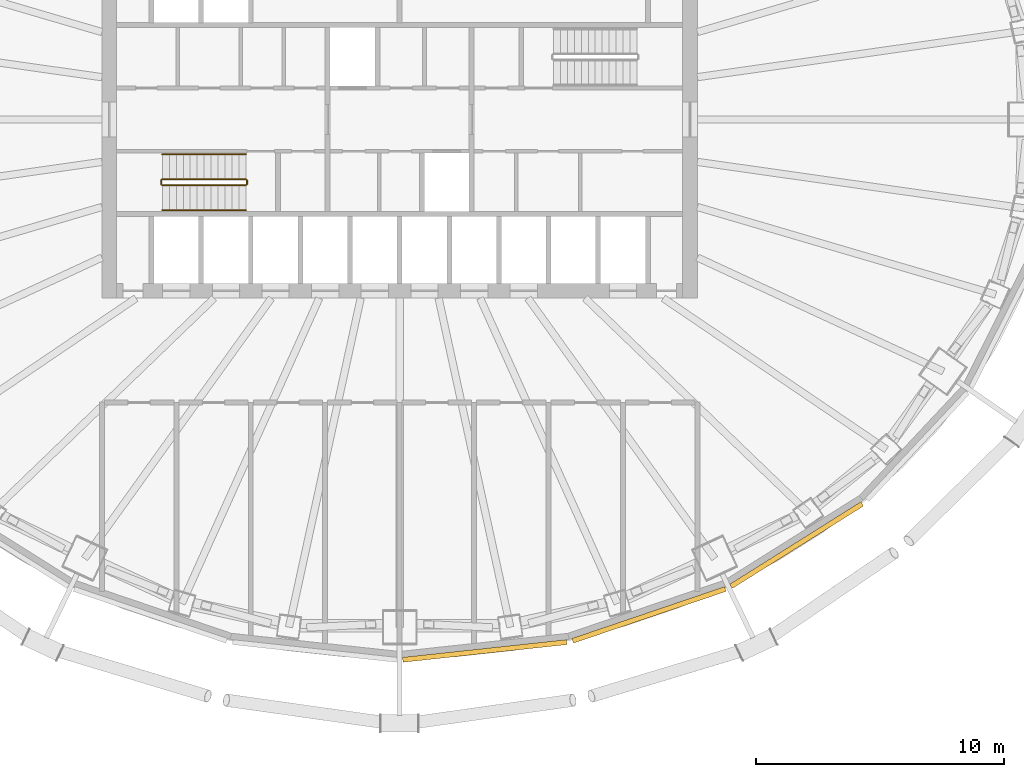
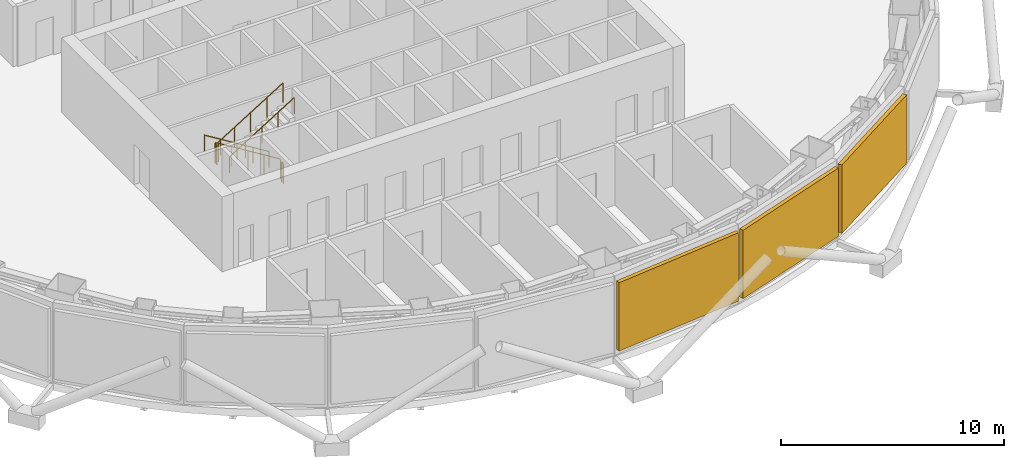
# One storey, part 16 of 18: 6 railings, 3 shading devices.
"""IFC4 building model written with IfcOpenShell, lengths in metres."""

import ifcopenshell
import ifcopenshell.guid

model = None  # the IFC model being written
_history = None  # IfcOwnerHistory: only IFC2X3 demands one
_inside = {}  # id of a spatial element -> (the spatial element, [elements in it])
_under = {}  # id of a project, library or spatial element -> (it, [spatial elements below it])
_declared = {}  # id of a project -> (the project, [libraries it declares])
_typed = {}  # id of a type object -> (the type object, [elements of that type])
_made_of = {}  # id of a material, layer set ... -> (it, [elements and type objects made of it])


def new_model(schema):
    """Start an empty IFC model of exactly this schema.

    Asked for "IFC4X3", IfcOpenShell would pick the latest addendum, in which some entities
    have other attributes; the version numbers below select the first issue.
    IFC2X3 requires an IfcOwnerHistory on every rooted entity: one is made here for all.
    """
    global model, _history
    if schema == "IFC4X3":
        model = ifcopenshell.file(schema_version=(4, 3, 0, 0))
    else:
        model = ifcopenshell.file(schema=schema)
    _inside.clear()
    _under.clear()
    _declared.clear()
    _typed.clear()
    _made_of.clear()
    _history = None
    if model.schema == "IFC2X3":
        org = make("IfcOrganization", Name="unknown")
        user = make(
            "IfcPersonAndOrganization",
            ThePerson=make("IfcPerson", FamilyName="unknown"),
            TheOrganization=org,
        )
        app = make(
            "IfcApplication",
            ApplicationDeveloper=org,
            Version="unknown",
            ApplicationFullName="unknown",
            ApplicationIdentifier="unknown",
        )
        _history = make(
            "IfcOwnerHistory",
            OwningUser=user,
            OwningApplication=app,
            ChangeAction="ADDED",
            CreationDate=0,
        )
    return model


def make(cls, **values):
    """One entity of the class cls with the attributes given. An attribute that is None is left unset."""
    return model.create_entity(
        cls, **{name: value for name, value in values.items() if value is not None}
    )


def rooted(cls, **values):
    """An entity with a GlobalId (a new one), such as an element, a storey or a relation."""
    return make(cls, GlobalId=ifcopenshell.guid.new(), OwnerHistory=_history, **values)


def si_unit(unit_type, name, prefix=None):
    """IfcSIUnit, for example si_unit("LENGTHUNIT", "METRE", prefix="MILLI")."""
    return make("IfcSIUnit", UnitType=unit_type, Prefix=prefix, Name=name)


def assignment(units):
    """IfcUnitAssignment: the units of a project."""
    return None if units is None else make("IfcUnitAssignment", Units=units)


def point(xyz):
    """IfcCartesianPoint."""
    return None if xyz is None else make("IfcCartesianPoint", Coordinates=xyz)


def direction(xyz):
    """IfcDirection."""
    return None if xyz is None else make("IfcDirection", DirectionRatios=xyz)


def frame(location, z_axis=None, x_axis=None):
    """IfcAxis2Placement3D, a coordinate frame: its origin and axes. An axis left out is left unset."""
    return make(
        "IfcAxis2Placement3D",
        Location=point(location),
        Axis=direction(z_axis),
        RefDirection=direction(x_axis),
    )


def frame_2d(location, x_axis=None):
    """IfcAxis2Placement2D, a coordinate frame in the plane: its origin and x axis."""
    return make(
        "IfcAxis2Placement2D", Location=point(location), RefDirection=direction(x_axis)
    )


def origin():
    """The frame at (0, 0, 0) with its axes left unset."""
    return frame((0.0, 0.0, 0.0))


def origin_2d():
    """The frame at (0, 0) in the plane with its x axis left unset."""
    return frame_2d((0.0, 0.0))


def place(relative_to, where):
    """IfcLocalPlacement: puts the frame where relative to a parent placement (None: the world)."""
    return make(
        "IfcLocalPlacement", PlacementRelTo=relative_to, RelativePlacement=where
    )


def context(
    kind, dimensions, precision=None, world=None, true_north=None, identifier=None
):
    """IfcGeometricRepresentationContext, for example the 3D "Model" context."""
    return make(
        "IfcGeometricRepresentationContext",
        ContextIdentifier=identifier,
        ContextType=kind,
        CoordinateSpaceDimension=dimensions,
        Precision=precision,
        WorldCoordinateSystem=world,
        TrueNorth=true_north,
    )


def subcontext(parent, identifier, kind, view, scale=None):
    """IfcGeometricRepresentationSubContext, for example "Body" below "Model"."""
    return make(
        "IfcGeometricRepresentationSubContext",
        ContextIdentifier=identifier,
        ContextType=kind,
        ParentContext=parent,
        TargetScale=scale,
        TargetView=view,
    )


def project(units=None, contexts=None):
    """IfcProject with its units and contexts."""
    return rooted(
        "IfcProject",
        Name="project",
        RepresentationContexts=contexts,
        UnitsInContext=assignment(units),
    )


def spatial(cls, under=None, at=None, **own):
    """A site, building, storey or space (cls), placed at a placement, below another one or the project."""
    s = rooted(cls, ObjectPlacement=at, **own)
    if under is not None:
        _under.setdefault(under.id(), (under, []))[1].append(s)
    return s


def profile(cls, at=None, kind="AREA", **sizes):
    """A parametric profile (cls). Its sizes go by their IFC names, for example OverallWidth=200.0."""
    return make(cls, ProfileType=kind, Position=at, **sizes)


def rectangle(**sizes):
    """IfcRectangleProfileDef."""
    return profile("IfcRectangleProfileDef", **sizes)


def circle(**sizes):
    """IfcCircleProfileDef."""
    return profile("IfcCircleProfileDef", **sizes)


def extrude(swept, where, along, depth):
    """IfcExtrudedAreaSolid: the profile swept, set in the frame where, extruded along a direction by depth."""
    return make(
        "IfcExtrudedAreaSolid",
        SweptArea=swept,
        Position=where,
        ExtrudedDirection=direction(along),
        Depth=depth,
    )


def shape(context_of_items, identifier, shape_type, items):
    """IfcShapeRepresentation: the items that make up one representation, for example the "Body"."""
    return make(
        "IfcShapeRepresentation",
        ContextOfItems=context_of_items,
        RepresentationIdentifier=identifier,
        RepresentationType=shape_type,
        Items=items,
    )


def material(Name=None, Category=None):
    """IfcMaterial."""
    return make("IfcMaterial", Name=Name, Category=Category)


def layer(
    of_material, thickness, ventilated=None, Name=None, Category=None, Priority=None
):
    """IfcMaterialLayer: one layer of a wall or slab, of a material (None: an air gap)."""
    return make(
        "IfcMaterialLayer",
        Material=of_material,
        LayerThickness=thickness,
        IsVentilated=ventilated,
        Name=Name,
        Category=Category,
        Priority=Priority,
    )


def layer_set(layers, Name=None):
    """IfcMaterialLayerSet."""
    return make("IfcMaterialLayerSet", MaterialLayers=layers, LayerSetName=Name)


def made_of(thing, what):
    """Note that an element or type object is made of a material, layer set ...; save() writes the relation."""
    if what is not None:
        _made_of.setdefault(what.id(), (what, []))[1].append(thing)
    return thing


def type_object(cls, material=None, **own):
    """A type object (cls), such as IfcWallType, which elements share."""
    return made_of(rooted(cls, **own), material)


def element(
    cls,
    number,
    at=None,
    inside=None,
    cuts=None,
    type_object=None,
    material=None,
    context=None,
    identifier="Body",
    shape_type=None,
    held_by="IfcProductDefinitionShape",
    body=None,
    shapes=None,
    **own,
):
    """One element of the class cls, such as IfcWall. Its Tag is "e" and its number.

    at: its placement. inside: the storey or other place that contains it. cuts: it is an
    opening in that element (IfcRelVoidsElement). A single representation is given by context,
    identifier, shape_type and body (its items); several are given by shapes. held_by: the class
    of the entity that holds the representations. save() writes the other relations.
    """
    e = rooted(cls, Tag="e%d" % number, ObjectPlacement=at, **own)
    if body is not None:
        shapes = [shape(context, identifier, shape_type, body)]
    if shapes is not None:
        e.Representation = make(held_by, Representations=shapes)
    if inside is not None:
        _inside.setdefault(inside.id(), (inside, []))[1].append(e)
    if cuts is not None:
        rooted(
            "IfcRelVoidsElement", RelatingBuildingElement=cuts, RelatedOpeningElement=e
        )
    if type_object is not None:
        _typed.setdefault(type_object.id(), (type_object, []))[1].append(e)
    return made_of(e, material)


def aggregate(whole, parts):
    """IfcRelAggregates: a whole, such as a stair, and the parts it consists of."""
    return rooted("IfcRelAggregates", RelatingObject=whole, RelatedObjects=parts)


def save(model, path):
    """Write the relations noted so far, then the file.

    IfcRelAggregates (storeys below a building ...), IfcRelContainedInSpatialStructure (elements
    in a storey), IfcRelDefinesByType, IfcRelAssociatesMaterial and IfcRelDeclares: one each for
    every whole, place, type object, material and project.
    """
    for whole, parts in _under.values():
        aggregate(whole, parts)
    for where, things in _inside.values():
        rooted(
            "IfcRelContainedInSpatialStructure",
            RelatedElements=things,
            RelatingStructure=where,
        )
    for kind, things in _typed.values():
        rooted("IfcRelDefinesByType", RelatedObjects=things, RelatingType=kind)
    for what, things in _made_of.values():
        rooted("IfcRelAssociatesMaterial", RelatedObjects=things, RelatingMaterial=what)
    for by, libraries in _declared.values():
        rooted("IfcRelDeclares", RelatingContext=by, RelatedDefinitions=libraries)
    model.write(path)


model = new_model("IFC4")

# Units and contexts
model_context = context("Model", 3, precision=1e-05, world=origin(), true_north=direction((0.0, 1.0)))
body_context = subcontext(model_context, "Body", "Model", "MODEL_VIEW")
ifc_project = project(units=[si_unit("LENGTHUNIT", "METRE"), si_unit("AREAUNIT", "SQUARE_METRE"), si_unit("VOLUMEUNIT", "CUBIC_METRE"), si_unit("PLANEANGLEUNIT", "RADIAN"), si_unit("MASSUNIT", "GRAM", prefix="KILO")], contexts=[model_context])

# Site, building, storey
site_placement = place(None, origin())
site = spatial("IfcSite", under=ifc_project, at=site_placement, CompositionType="ELEMENT")
building_placement = place(site_placement, origin())
building = spatial("IfcBuilding", under=site, at=building_placement, Name="Siaravel Broadcast Tower", CompositionType="ELEMENT")
storey_placement = place(building_placement, frame((0.0, 0.0, 92.60009765625)))
storey = spatial("IfcBuildingStorey", under=building, at=storey_placement, Name="L21", CompositionType="ELEMENT", Elevation=92.60009765625)

# Shading devices
ifc_material_1 = material(Name="Bronze anodised aluminium", Category="aluminium")
ifc_layer = layer(ifc_material_1, 0.199951171875)
ifc_layer_set = layer_set([ifc_layer], Name="Bronze anodised aluminium")
shading_device_type = type_object("IfcShadingDeviceType", Name="Plant louvre bank", PredefinedType="USERDEFINED", material=ifc_layer_set)
shading_device_1_placement = place(storey_placement, frame((3.427490234375, -21.4140625, 0.2998046875), z_axis=(0.0, 0.0, 1.0), x_axis=(0.994235667, 0.107216783, 0.0)))
element("IfcShadingDevice", 1, at=shading_device_1_placement, inside=storey, type_object=shading_device_type, Name="L21 plant louvre bank 19", ObjectType="LOUVRE", PredefinedType="USERDEFINED", context=body_context, shape_type="SweptSolid", body=[
    extrude(rectangle(XDim=6.646484375, YDim=0.199951171875, at=origin_2d()), origin(), (0.0, 0.0, 1.0), 3.75),
])
shading_device_2_placement = place(storey_placement, frame((10.05078125, -19.960205078125, 0.2998046875), z_axis=(0.0, 0.0, 1.0), x_axis=(0.946977245, 0.321300635, 0.0)))
element("IfcShadingDevice", 2, at=shading_device_2_placement, inside=storey, type_object=shading_device_type, Name="L21 plant louvre bank 20", ObjectType="LOUVRE", PredefinedType="USERDEFINED", context=body_context, shape_type="SweptSolid", body=[
    extrude(rectangle(XDim=6.4990234375, YDim=0.199951171875, at=origin_2d()), origin(), (0.0, 0.0, 1.0), 3.75),
])
shading_device_3_placement = place(storey_placement, frame((15.994140625, -17.1494140625, 0.2998046875), z_axis=(0.0, 0.0, 1.0), x_axis=(0.846650436, 0.532149452, 0.0)))
element("IfcShadingDevice", 3, at=shading_device_3_placement, inside=storey, type_object=shading_device_type, Name="L21 plant louvre bank 21", ObjectType="LOUVRE", PredefinedType="USERDEFINED", context=body_context, shape_type="SweptSolid", body=[
    extrude(rectangle(XDim=6.235595703125, YDim=0.199951171875, at=origin_2d()), origin(), (0.0, 0.0, 1.0), 3.75),
])

# Railings
ifc_material_2 = material(Name="Stainless steel 316L", Category="steel")
railing_type_1 = type_object("IfcRailingType", Name="Stair guard 1100", PredefinedType="GUARDRAIL", material=ifc_material_2)
railing_1_placement = place(storey_placement, frame((-6.199951171875, -2.39990234375, 0.173095703125)))
element("IfcRailing", 4, at=railing_1_placement, inside=storey, type_object=railing_type_1, Name="L21 ST-1 stair guard 1", PredefinedType="GUARDRAIL", context=body_context, shape_type="SweptSolid", body=[
    extrude(circle(Radius=0.02392578125, at=origin_2d()), frame((0.0, 0.0, 1.076171875), z_axis=(-0.850623217, 0.0, 0.525775754), x_axis=(0.0, -1.0, 0.0)), (0.0, 0.0, 1.0), 3.9501953125),
    extrude(circle(Radius=0.02099609375, at=origin_2d()), origin(), (0.0, 0.0, 1.0), 1.052001953125),
    extrude(circle(Radius=0.02099609375, at=origin_2d()), frame((-0.840087890625, 0.0, 0.519287109375)), (0.0, 0.0, 1.0), 1.052001953125),
    extrude(circle(Radius=0.02099609375, at=origin_2d()), frame((-1.68017578125, 0.0, 1.03857421875)), (0.0, 0.0, 1.0), 1.052001953125),
    extrude(circle(Radius=0.02099609375, at=origin_2d()), frame((-2.52001953125, 0.0, 1.5576171875)), (0.0, 0.0, 1.0), 1.052001953125),
    extrude(circle(Radius=0.02099609375, at=origin_2d()), frame((-3.360107421875, 0.0, 2.076904296875)), (0.0, 0.0, 1.0), 1.052001953125),
])
railing_2_placement = place(storey_placement, frame((-9.610107421875, -2.449951171875, 2.25)))
element("IfcRailing", 5, at=railing_2_placement, inside=storey, type_object=railing_type_1, Name="L21 ST-1 stair guard 2", PredefinedType="GUARDRAIL", context=body_context, shape_type="SweptSolid", body=[
    extrude(circle(Radius=0.02392578125, at=origin_2d()), frame((0.0, 0.0, 1.076171875), z_axis=(0.0, -1.0, 0.0), x_axis=(1.0, 0.0, 0.0)), (0.0, 0.0, 1.0), 0.150146484375),
    extrude(circle(Radius=0.02099609375, at=origin_2d()), origin(), (0.0, 0.0, 1.0), 1.052001953125),
    extrude(circle(Radius=0.02099609375, at=origin_2d()), frame((0.0, -0.150146484375, 0.0)), (0.0, 0.0, 1.0), 1.052001953125),
])
railing_3_placement = place(storey_placement, frame((-9.56005859375, -2.64990234375, 2.423095703125)))
element("IfcRailing", 6, at=railing_3_placement, inside=storey, type_object=railing_type_1, Name="L21 ST-1 stair guard 3", PredefinedType="GUARDRAIL", context=body_context, shape_type="SweptSolid", body=[
    extrude(circle(Radius=0.02392578125, at=origin_2d()), frame((0.0, 0.0, 1.076171875), z_axis=(0.850623217, 0.0, 0.525775754), x_axis=(0.0, 1.0, 0.0)), (0.0, 0.0, 1.0), 3.9501953125),
    extrude(circle(Radius=0.02099609375, at=origin_2d()), origin(), (0.0, 0.0, 1.0), 1.052001953125),
    extrude(circle(Radius=0.02099609375, at=origin_2d()), frame((0.840087890625, 0.0, 0.519287109375)), (0.0, 0.0, 1.0), 1.052001953125),
    extrude(circle(Radius=0.02099609375, at=origin_2d()), frame((1.68017578125, 0.0, 1.03857421875)), (0.0, 0.0, 1.0), 1.052001953125),
    extrude(circle(Radius=0.02099609375, at=origin_2d()), frame((2.52001953125, 0.0, 1.5576171875)), (0.0, 0.0, 1.0), 1.052001953125),
    extrude(circle(Radius=0.02099609375, at=origin_2d()), frame((3.360107421875, 0.0, 2.076904296875)), (0.0, 0.0, 1.0), 1.052001953125),
])
railing_4_placement = place(storey_placement, frame((-6.14990234375, -2.449951171875, 0.0)))
element("IfcRailing", 7, at=railing_4_placement, inside=storey, type_object=railing_type_1, Name="L21 ST-1 stair guard 4", PredefinedType="GUARDRAIL", context=body_context, shape_type="SweptSolid", body=[
    extrude(circle(Radius=0.02392578125, at=origin_2d()), frame((0.0, 0.0, 1.076171875), z_axis=(0.0, -1.0, 0.0), x_axis=(1.0, 0.0, 0.0)), (0.0, 0.0, 1.0), 0.150146484375),
    extrude(circle(Radius=0.02099609375, at=origin_2d()), origin(), (0.0, 0.0, 1.0), 1.052001953125),
    extrude(circle(Radius=0.02099609375, at=origin_2d()), frame((0.0, -0.150146484375, 0.0)), (0.0, 0.0, 1.0), 1.052001953125),
])
railing_type_2 = type_object("IfcRailingType", Name="Stair handrail 900", PredefinedType="HANDRAIL", material=ifc_material_2)
railing_5_placement = place(storey_placement, frame((-6.199951171875, -1.39990234375, 0.173095703125)))
element("IfcRailing", 8, at=railing_5_placement, inside=storey, type_object=railing_type_2, Name="L21 ST-1 stair handrail 1", PredefinedType="HANDRAIL", context=body_context, shape_type="SweptSolid", body=[
    extrude(circle(Radius=0.02392578125, at=origin_2d()), frame((0.0, 0.0, 0.8759765625), z_axis=(-0.850623217, 0.0, 0.525775754), x_axis=(0.0, -1.0, 0.0)), (0.0, 0.0, 1.0), 3.9501953125),
    extrude(circle(Radius=0.02099609375, at=origin_2d()), origin(), (0.0, 0.0, 1.0), 0.851806640625),
    extrude(circle(Radius=0.02099609375, at=origin_2d()), frame((-0.840087890625, 0.0, 0.519287109375)), (0.0, 0.0, 1.0), 0.851806640625),
    extrude(circle(Radius=0.02099609375, at=origin_2d()), frame((-1.68017578125, 0.0, 1.03857421875)), (0.0, 0.0, 1.0), 0.851806640625),
    extrude(circle(Radius=0.02099609375, at=origin_2d()), frame((-2.52001953125, 0.0, 1.5576171875)), (0.0, 0.0, 1.0), 0.851806640625),
    extrude(circle(Radius=0.02099609375, at=origin_2d()), frame((-3.360107421875, 0.0, 2.076904296875)), (0.0, 0.0, 1.0), 0.851806640625),
])
railing_6_placement = place(storey_placement, frame((-9.56005859375, -3.64990234375, 2.423095703125)))
element("IfcRailing", 9, at=railing_6_placement, inside=storey, type_object=railing_type_2, Name="L21 ST-1 stair handrail 2", PredefinedType="HANDRAIL", context=body_context, shape_type="SweptSolid", body=[
    extrude(circle(Radius=0.02392578125, at=origin_2d()), frame((0.0, 0.0, 0.8759765625), z_axis=(0.850623217, 0.0, 0.525775754), x_axis=(0.0, 1.0, 0.0)), (0.0, 0.0, 1.0), 3.9501953125),
    extrude(circle(Radius=0.02099609375, at=origin_2d()), origin(), (0.0, 0.0, 1.0), 0.851806640625),
    extrude(circle(Radius=0.02099609375, at=origin_2d()), frame((0.840087890625, 0.0, 0.519287109375)), (0.0, 0.0, 1.0), 0.851806640625),
    extrude(circle(Radius=0.02099609375, at=origin_2d()), frame((1.68017578125, 0.0, 1.03857421875)), (0.0, 0.0, 1.0), 0.851806640625),
    extrude(circle(Radius=0.02099609375, at=origin_2d()), frame((2.52001953125, 0.0, 1.5576171875)), (0.0, 0.0, 1.0), 0.851806640625),
    extrude(circle(Radius=0.02099609375, at=origin_2d()), frame((3.360107421875, 0.0, 2.076904296875)), (0.0, 0.0, 1.0), 0.851806640625),
])

save(model, "model.ifc")
